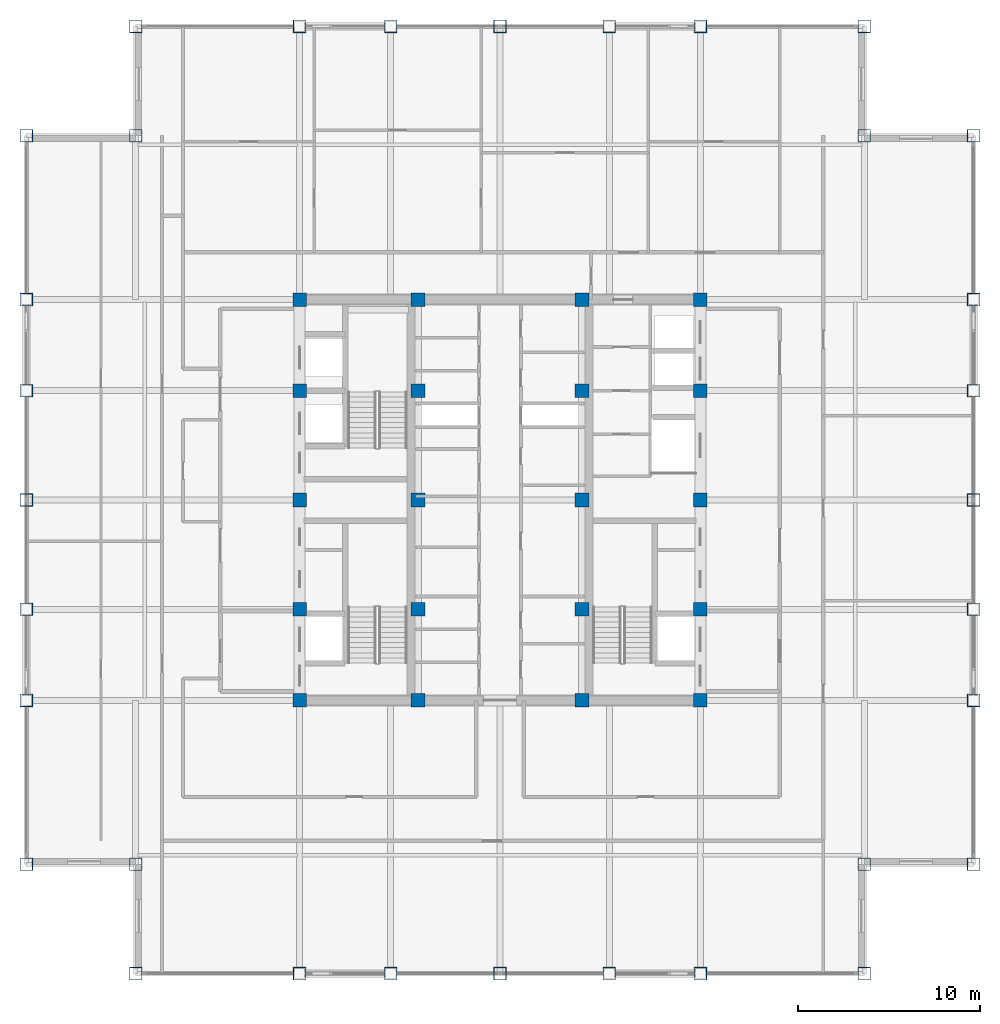
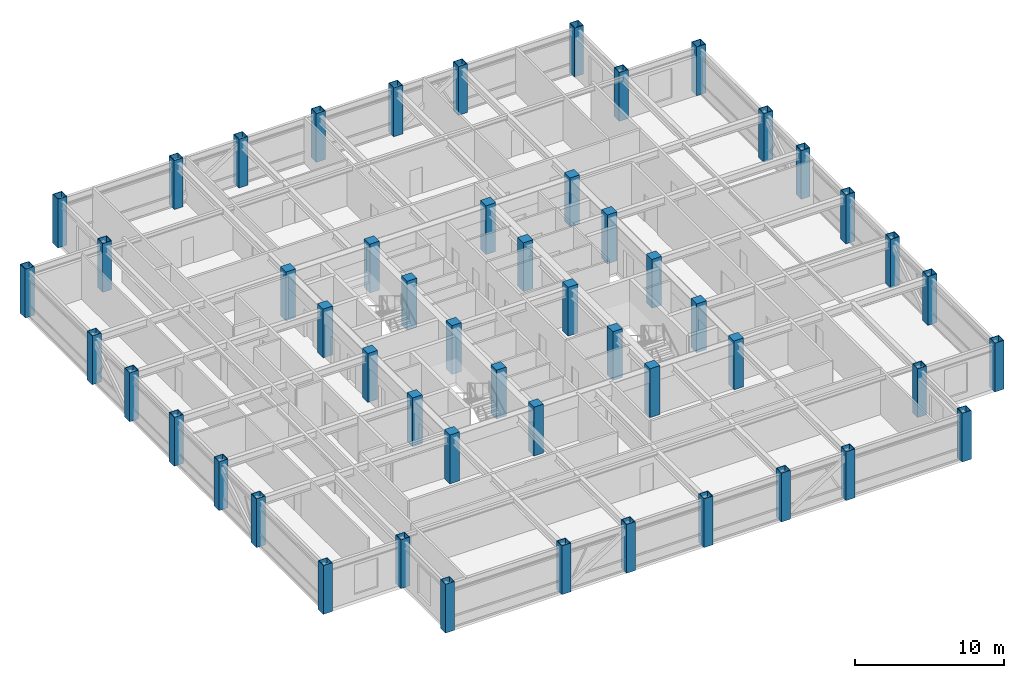
# One storey, part 1 of 29: 52 columns.
"""IFC4 building model written with IfcOpenShell, lengths in metres."""

from ifc_helpers import new_model, si_unit, direction, frame, origin, origin_2d, place, context, subcontext, project, spatial, rectangle, hollow_rectangle, extrude, source, transform, mapped, material, material_profile, profile_set, type_object, element, save


model = new_model("IFC4")

# Units and contexts
model_context = context("Model", 3, precision=1e-05, world=origin(), true_north=direction((0.0, 1.0)))
body_context = subcontext(model_context, "Body", "Model", "MODEL_VIEW")
ifc_project = project(units=[si_unit("LENGTHUNIT", "METRE"), si_unit("AREAUNIT", "SQUARE_METRE"), si_unit("VOLUMEUNIT", "CUBIC_METRE"), si_unit("PLANEANGLEUNIT", "RADIAN"), si_unit("MASSUNIT", "GRAM", prefix="KILO")], contexts=[model_context])

# Site, building, storey
site_placement = place(None, origin())
site = spatial("IfcSite", under=ifc_project, at=site_placement, CompositionType="ELEMENT")
building_placement = place(site_placement, origin())
building = spatial("IfcBuilding", under=site, at=building_placement, Name="Khorayat Bourse Tower", CompositionType="ELEMENT")
storey_placement = place(building_placement, frame((0.0, 0.0, 366.300048828125)))
storey = spatial("IfcBuildingStorey", under=building, at=storey_placement, Name="L87", CompositionType="ELEMENT", Elevation=366.300048828125)

# Columns
ifc_material_1 = material(Name="Concrete C52/65", Category="concrete")
ifc_material_profile_1 = material_profile(ifc_material_1, rectangle(XDim=0.75, YDim=0.75, at=origin_2d()), Name="RC 750x750")
ifc_profile_set_1 = profile_set([ifc_material_profile_1], Name="Concrete C52/65")
column_type_1 = type_object("IfcColumnType", Name="COL-CORE-750", PredefinedType="COLUMN", material=ifc_profile_set_1)
shared_shape_1 = source(origin(), body_context, "Body", "SweptSolid", [
    extrude(rectangle(XDim=0.75, YDim=0.75, at=origin_2d()), origin(), (0.0, 0.0, 1.0), 4.0),
])
for number, where, z_axis, x_axis, name in (
    (1, (-11.0, -11.0, 0.0), (0.0, 0.0, 1.0), (1.0, 0.0, 0.0), "L87 Column 013"),
    (2, (-11.0, -6.0, 0.0), (0.0, 0.0, 1.0), (1.0, 0.0, 0.0), "L87 Column 014"),
    (3, (-11.0, 0.0, 0.0), (0.0, 0.0, 1.0), (1.0, 0.0, 0.0), "L87 Column 015"),
    (4, (-11.0, 6.0, 0.0), (0.0, 0.0, 1.0), (1.0, 0.0, 0.0), "L87 Column 016"),
    (5, (-11.0, 11.0, 0.0), (0.0, 0.0, 1.0), (1.0, 0.0, 0.0), "L87 Column 017"),
    (6, (-4.5, -11.0, 0.0), (0.0, 0.0, 1.0), (1.0, 0.0, 0.0), "L87 Column 021"),
    (7, (-4.5, -6.0, 0.0), (0.0, 0.0, 1.0), (1.0, 0.0, 0.0), "L87 Column 022"),
    (8, (-4.5, 0.0, 0.0), (0.0, 0.0, 1.0), (1.0, 0.0, 0.0), "L87 Column 023"),
    (9, (-4.5, 6.0, 0.0), (0.0, 0.0, 1.0), (1.0, 0.0, 0.0), "L87 Column 024"),
    (10, (-4.5, 11.0, 0.0), (0.0, 0.0, 1.0), (1.0, 0.0, 0.0), "L87 Column 025"),
    (11, (4.5, -11.0, 0.0), (0.0, 0.0, 1.0), (1.0, 0.0, 0.0), "L87 Column 028"),
    (12, (4.5, -6.0, 0.0), (0.0, 0.0, 1.0), (1.0, 0.0, 0.0), "L87 Column 029"),
    (13, (4.5, 0.0, 0.0), (0.0, 0.0, 1.0), (1.0, 0.0, 0.0), "L87 Column 030"),
    (14, (4.5, 6.0, 0.0), (0.0, 0.0, 1.0), (1.0, 0.0, 0.0), "L87 Column 031"),
    (15, (4.5, 11.0, 0.0), (0.0, 0.0, 1.0), (1.0, 0.0, 0.0), "L87 Column 032"),
    (16, (11.0, -11.0, 0.0), (0.0, 0.0, 1.0), (1.0, 0.0, 0.0), "L87 Column 036"),
    (17, (11.0, -6.0, 0.0), (0.0, 0.0, 1.0), (1.0, 0.0, 0.0), "L87 Column 037"),
    (18, (11.0, 0.0, 0.0), (0.0, 0.0, 1.0), (1.0, 0.0, 0.0), "L87 Column 038"),
    (19, (11.0, 6.0, 0.0), (0.0, 0.0, 1.0), (1.0, 0.0, 0.0), "L87 Column 039"),
    (20, (11.0, 11.0, 0.0), (0.0, 0.0, 1.0), (1.0, 0.0, 0.0), "L87 Column 040"),
):
    element("IfcColumn", number, at=place(storey_placement, frame(where, z_axis=z_axis, x_axis=x_axis)), inside=storey, type_object=column_type_1, Name=name, PredefinedType="COLUMN", context=body_context, shape_type="MappedRepresentation", body=[
        mapped(shared_shape_1, transform((0.0, 0.0, 0.0), scale=1.0)),
    ])
ifc_material_2 = material(Name="Steel EN 10025-2 S355J2", Category="steel")
ifc_material_profile_2 = material_profile(ifc_material_2, hollow_rectangle(XDim=0.699951171875, YDim=0.699951171875, WallThickness=0.0400390625, at=origin_2d()), Name="BOX 700x700x40")
ifc_profile_set_2 = profile_set([ifc_material_profile_2], Name="Steel EN 10025-2 S355J2")
column_type_2 = type_object("IfcColumnType", Name="COL-TUBE-700", PredefinedType="COLUMN", material=ifc_profile_set_2)
shared_shape_2 = source(origin(), body_context, "Body", "SweptSolid", [
    extrude(hollow_rectangle(XDim=0.699951171875, YDim=0.699951171875, WallThickness=0.0400390625, at=origin_2d()), origin(), (0.0, 0.0, 1.0), 4.0),
])
for number, where, z_axis, x_axis, name in (
    (21, (-26.0, -20.0, 0.0), (0.0, 0.0, 1.0), (1.0, 0.0, 0.0), "L87 Column 001"),
    (22, (-26.0, -11.0, 0.0), (0.0, 0.0, 1.0), (1.0, 0.0, 0.0), "L87 Column 002"),
    (23, (-26.0, -6.0, 0.0), (0.0, 0.0, 1.0), (1.0, 0.0, 0.0), "L87 Column 003"),
    (24, (-26.0, 0.0, 0.0), (0.0, 0.0, 1.0), (1.0, 0.0, 0.0), "L87 Column 004"),
    (25, (-26.0, 6.0, 0.0), (0.0, 0.0, 1.0), (1.0, 0.0, 0.0), "L87 Column 005"),
    (26, (-26.0, 11.0, 0.0), (0.0, 0.0, 1.0), (1.0, 0.0, 0.0), "L87 Column 006"),
    (27, (-26.0, 20.0, 0.0), (0.0, 0.0, 1.0), (1.0, 0.0, 0.0), "L87 Column 007"),
    (28, (-20.0, -26.0, 0.0), (0.0, 0.0, 1.0), (1.0, 0.0, 0.0), "L87 Column 008"),
    (29, (-20.0, -20.0, 0.0), (0.0, 0.0, 1.0), (1.0, 0.0, 0.0), "L87 Column 009"),
    (30, (-20.0, 20.0, 0.0), (0.0, 0.0, 1.0), (1.0, 0.0, 0.0), "L87 Column 010"),
    (31, (-20.0, 26.0, 0.0), (0.0, 0.0, 1.0), (1.0, 0.0, 0.0), "L87 Column 011"),
    (32, (-11.0, -26.0, 0.0), (0.0, 0.0, 1.0), (1.0, 0.0, 0.0), "L87 Column 012"),
    (33, (-11.0, 26.0, 0.0), (0.0, 0.0, 1.0), (1.0, 0.0, 0.0), "L87 Column 018"),
    (34, (-6.0, -26.0, 0.0), (0.0, 0.0, 1.0), (1.0, 0.0, 0.0), "L87 Column 019"),
    (35, (-6.0, 26.0, 0.0), (0.0, 0.0, 1.0), (1.0, 0.0, 0.0), "L87 Column 020"),
    (36, (0.0, -26.0, 0.0), (0.0, 0.0, 1.0), (1.0, 0.0, 0.0), "L87 Column 026"),
    (37, (0.0, 26.0, 0.0), (0.0, 0.0, 1.0), (1.0, 0.0, 0.0), "L87 Column 027"),
    (38, (6.0, -26.0, 0.0), (0.0, 0.0, 1.0), (1.0, 0.0, 0.0), "L87 Column 033"),
    (39, (6.0, 26.0, 0.0), (0.0, 0.0, 1.0), (1.0, 0.0, 0.0), "L87 Column 034"),
    (40, (11.0, -26.0, 0.0), (0.0, 0.0, 1.0), (1.0, 0.0, 0.0), "L87 Column 035"),
    (41, (11.0, 26.0, 0.0), (0.0, 0.0, 1.0), (1.0, 0.0, 0.0), "L87 Column 041"),
    (42, (20.0, -26.0, 0.0), (0.0, 0.0, 1.0), (1.0, 0.0, 0.0), "L87 Column 042"),
    (43, (20.0, -20.0, 0.0), (0.0, 0.0, 1.0), (1.0, 0.0, 0.0), "L87 Column 043"),
    (44, (20.0, 20.0, 0.0), (0.0, 0.0, 1.0), (1.0, 0.0, 0.0), "L87 Column 044"),
    (45, (20.0, 26.0, 0.0), (0.0, 0.0, 1.0), (1.0, 0.0, 0.0), "L87 Column 045"),
    (46, (26.0, -20.0, 0.0), (0.0, 0.0, 1.0), (1.0, 0.0, 0.0), "L87 Column 046"),
    (47, (26.0, -11.0, 0.0), (0.0, 0.0, 1.0), (1.0, 0.0, 0.0), "L87 Column 047"),
    (48, (26.0, -6.0, 0.0), (0.0, 0.0, 1.0), (1.0, 0.0, 0.0), "L87 Column 048"),
    (49, (26.0, 0.0, 0.0), (0.0, 0.0, 1.0), (1.0, 0.0, 0.0), "L87 Column 049"),
    (50, (26.0, 6.0, 0.0), (0.0, 0.0, 1.0), (1.0, 0.0, 0.0), "L87 Column 050"),
    (51, (26.0, 11.0, 0.0), (0.0, 0.0, 1.0), (1.0, 0.0, 0.0), "L87 Column 051"),
    (52, (26.0, 20.0, 0.0), (0.0, 0.0, 1.0), (1.0, 0.0, 0.0), "L87 Column 052"),
):
    element("IfcColumn", number, at=place(storey_placement, frame(where, z_axis=z_axis, x_axis=x_axis)), inside=storey, type_object=column_type_2, Name=name, PredefinedType="COLUMN", context=body_context, shape_type="MappedRepresentation", body=[
        mapped(shared_shape_2, transform((0.0, 0.0, 0.0), scale=1.0)),
    ])

save(model, "model.ifc")
